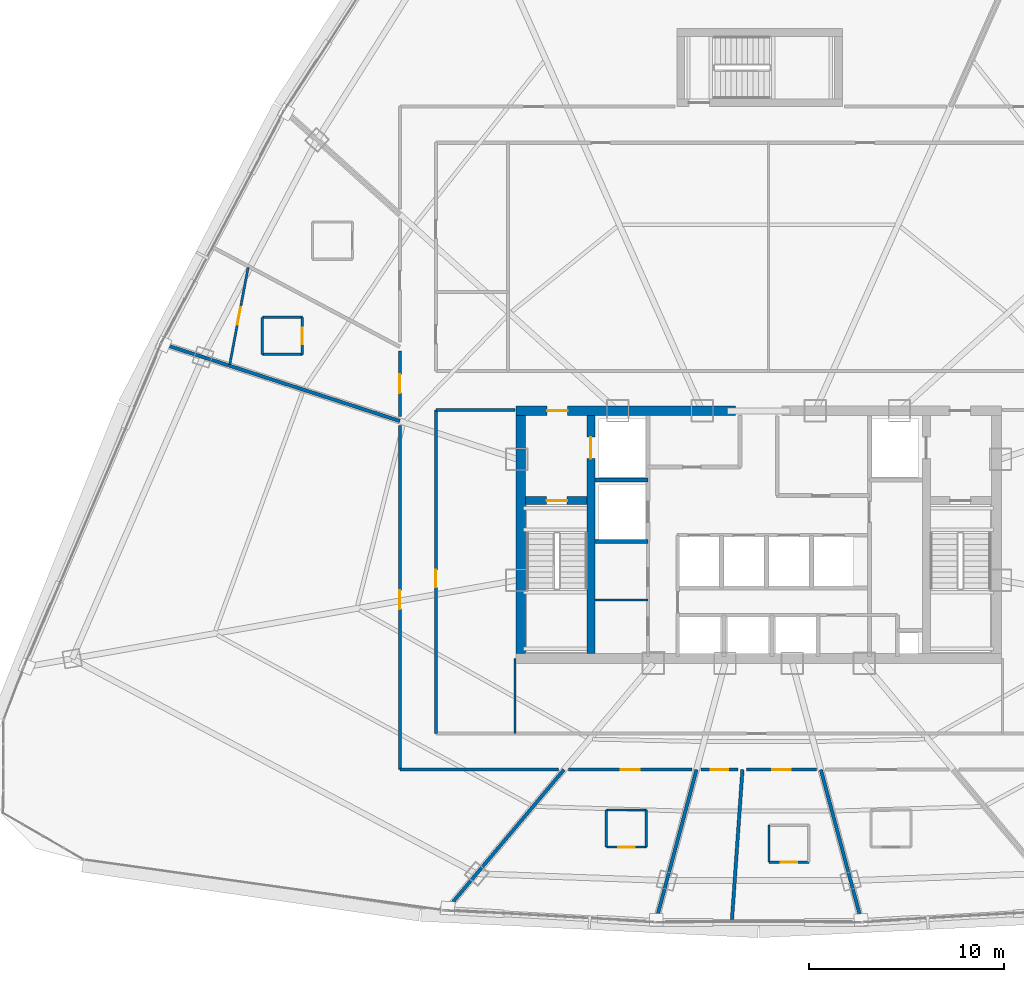
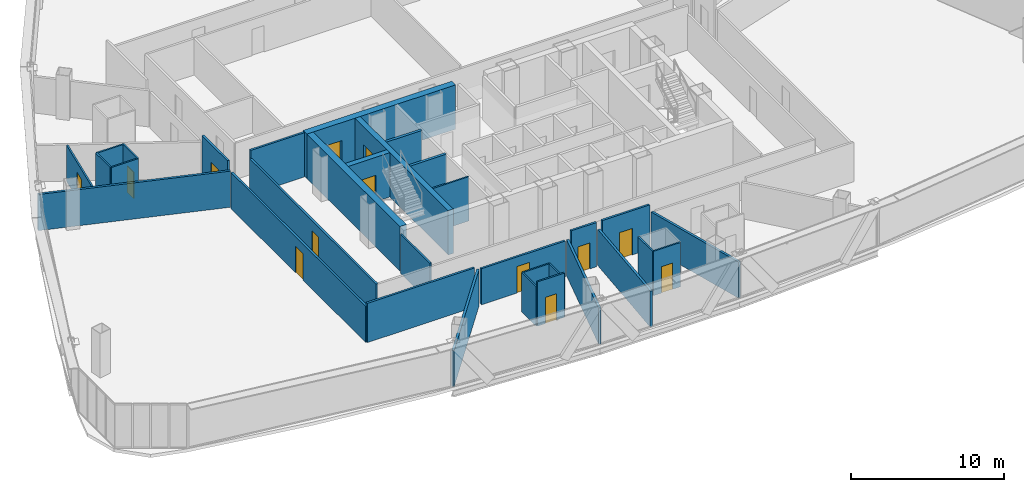
# One storey, part 32 of 40: 32 walls, 13 doors, 13 openings.
"""IFC4 building model written with IfcOpenShell, lengths in metres."""

from ifc_helpers import new_model, si_unit, direction, frame, frame_2d, origin, origin_with_axes, place, context, subcontext, project, spatial, rectangle, extrude, source, transform, mapped, material, layer, layer_set, type_object, element, fill, save


model = new_model("IFC4")

# Units and contexts
model_context = context("Model", 3, precision=1e-05, world=origin(), true_north=direction((0.0, 1.0)))
body_context = subcontext(model_context, "Body", "Model", "MODEL_VIEW")
ifc_project = project(units=[si_unit("LENGTHUNIT", "METRE"), si_unit("AREAUNIT", "SQUARE_METRE"), si_unit("VOLUMEUNIT", "CUBIC_METRE"), si_unit("PLANEANGLEUNIT", "RADIAN"), si_unit("MASSUNIT", "GRAM", prefix="KILO"), si_unit("THERMODYNAMICTEMPERATUREUNIT", "KELVIN"), si_unit("POWERUNIT", "WATT")], contexts=[model_context])

# Site, building, storey
site_placement = place(None, origin())
site = spatial("IfcSite", under=ifc_project, at=site_placement, CompositionType="ELEMENT")
building_placement = place(site_placement, origin())
building = spatial("IfcBuilding", under=site, at=building_placement, Name="Yunzhuo Pagoda Commons", CompositionType="ELEMENT")
storey_placement = place(building_placement, frame((0.0, 0.0, 188.56005859375)))
storey = spatial("IfcBuildingStorey", under=building, at=storey_placement, Name="L47", CompositionType="ELEMENT", Elevation=188.56005859375)

# Wall, opening, door
ifc_material_1 = material(Name="Concrete C50", Category="concrete")
ifc_layer_1 = layer(ifc_material_1, 0.5)
ifc_layer_set_1 = layer_set([ifc_layer_1], Name="Concrete C50")
wall_type_1 = type_object("IfcWallType", Name="W-C03 Upper Core Shear Wall 500", PredefinedType="SHEAR", material=ifc_layer_set_1)
wall_1_placement = place(storey_placement, frame((35.550048828125, 40.199951171875, 0.0), z_axis=(0.0, 0.0, 1.0), x_axis=(1.0, 0.0, 0.0)))
wall_1 = element("IfcWall", 1, at=wall_1_placement, inside=storey, type_object=wall_type_1, Name="L47 core shear wall NW", PredefinedType="SHEAR", context=body_context, shape_type="SweptSolid", body=[
    extrude(rectangle(XDim=11.25, YDim=0.5, at=frame_2d((5.625, 0.0))), origin(), (0.0, 0.0, 1.0), 3.5400390625),
])
opening_1_placement = place(wall_1_placement, frame((1.60009765625, 0.0, 0.0)))
opening_1 = element("IfcOpeningElement", 2, at=opening_1_placement, cuts=wall_1, Name="Opening D-02", PredefinedType="OPENING", context=body_context, shape_type="SweptSolid", body=[
    extrude(rectangle(XDim=1.050048828125, YDim=2.10009765625, at=frame_2d((0.52490234375, 1.050048828125))), frame((0.0, 0.260009765625, 0.0), z_axis=(0.0, -1.0, 0.0), x_axis=(1.0, 0.0, 0.0)), (0.0, 0.0, 1.0), 0.52001953125),
])
ifc_material_2 = material(Name="Galvanized fire-resisting metal leaf")
door_type_1 = type_object("IfcDoorType", Name="D-02 Firefighting Lobby & Refuge Fire Door 1050x2100", OperationType="NOTDEFINED", PredefinedType="DOOR", material=ifc_material_2)
shared_shape_1 = source(origin(), body_context, "Body", "SweptSolid", [
    extrude(rectangle(XDim=1.050048828125, YDim=2.10009765625, at=frame_2d((0.52490234375, 1.050048828125))), frame((0.0, 0.02490234375, 0.0), z_axis=(0.0, -1.0, 0.0), x_axis=(1.0, 0.0, 0.0)), (0.0, 0.0, 1.0), 0.050048828125),
])
door_1_placement = place(opening_1_placement, frame((1.050048828125, 0.0, 0.0), z_axis=(0.0, 0.0, 1.0), x_axis=(-1.0, 0.0, 0.0)))
door_1 = element("IfcDoor", 3, at=door_1_placement, inside=storey, type_object=door_type_1, Name="L47 Firefighting Lobby 1 fire door", OperationType="SINGLE_SWING_LEFT", OverallHeight=2.10009765625, OverallWidth=1.050048828125, PredefinedType="DOOR", context=body_context, shape_type="MappedRepresentation", body=[
    mapped(shared_shape_1, transform((0.0, 0.0, 0.0), scale=1.0)),
])
fill(opening_1, door_1)

# Wall
wall_2_placement = place(storey_placement, frame((35.800048828125, 27.75, 0.0), z_axis=(0.0, 0.0, 1.0), x_axis=(0.0, 1.0, 0.0)))
element("IfcWall", 4, at=wall_2_placement, inside=storey, type_object=wall_type_1, Name="L47 core shear wall W", PredefinedType="SHEAR", context=body_context, shape_type="SweptSolid", body=[
    extrude(rectangle(XDim=12.199951171875, YDim=0.5, at=frame_2d((6.10009765625, 0.0))), origin(), (0.0, 0.0, 1.0), 3.5400390625),
])

# Wall, opening, door
ifc_material_3 = material(Name="Gypsum plasterboard on acoustic stud")
ifc_layer_2 = layer(ifc_material_3, 0.155029296875)
ifc_layer_set_2 = layer_set([ifc_layer_2], Name="Gypsum plasterboard on acoustic stud")
wall_type_2 = type_object("IfcWallType", Name="W-COR2 Mid-Zone Rated Corridor Wall 155", PredefinedType="PARTITIONING", material=ifc_layer_set_2)
wall_3_placement = place(storey_placement, frame((31.449951171875, 23.64990234375, 0.0), z_axis=(0.0, 0.0, 1.0), x_axis=(0.0, 1.0, 0.0)))
wall_3 = element("IfcWall", 5, at=wall_3_placement, inside=storey, type_object=wall_type_2, Name="L47 interior wall IW-L47-SFLW", PredefinedType="PARTITIONING", context=body_context, shape_type="SweptSolid", body=[
    extrude(rectangle(XDim=16.60009765625, YDim=0.155029296875, at=frame_2d((8.300048828125, 0.0))), origin(), (0.0, 0.0, 1.0), 2.889892578125),
])
opening_2_placement = place(wall_3_placement, frame((7.5, 0.0, 0.0)))
opening_2 = element("IfcOpeningElement", 6, at=opening_2_placement, cuts=wall_3, Name="Opening D-12", PredefinedType="OPENING", context=body_context, shape_type="SweptSolid", body=[
    extrude(rectangle(XDim=0.89990234375, YDim=2.080078125, at=frame_2d((0.449951171875, 1.0400390625))), frame((0.0, 0.08740234375, 0.0), z_axis=(0.0, -1.0, 0.0), x_axis=(1.0, 0.0, 0.0)), (0.0, 0.0, 1.0), 0.175048828125),
])
ifc_material_4 = material(Name="Powder-coated aluminium and timber acoustic leaf", Category="wood")
door_type_2 = type_object("IfcDoorType", Name="D-12 Quiet Study Interior Door 900x2080", OperationType="NOTDEFINED", PredefinedType="DOOR", material=ifc_material_4)
shared_shape_2 = source(origin(), body_context, "Body", "SweptSolid", [
    extrude(rectangle(XDim=0.89990234375, YDim=2.080078125, at=frame_2d((0.449951171875, 1.0400390625))), frame((0.0, 0.02490234375, 0.0), z_axis=(0.0, -1.0, 0.0), x_axis=(1.0, 0.0, 0.0)), (0.0, 0.0, 1.0), 0.050048828125),
])
door_2_placement = place(opening_2_placement, origin_with_axes())
door_2 = element("IfcDoor", 7, at=door_2_placement, inside=storey, type_object=door_type_2, Name="L47 west study workroom door", OperationType="SINGLE_SWING_LEFT", OverallHeight=2.080078125, OverallWidth=0.89990234375, PredefinedType="DOOR", context=body_context, shape_type="MappedRepresentation", body=[
    mapped(shared_shape_2, transform((0.0, 0.0, 0.0), scale=1.0)),
])
fill(opening_2, door_2)

# Wall
wall_4_placement = place(storey_placement, frame((31.449951171875, 40.25, 0.0), z_axis=(0.0, 0.0, 1.0), x_axis=(1.0, 0.0, 0.0)))
element("IfcWall", 8, at=wall_4_placement, inside=storey, type_object=wall_type_2, Name="L47 interior wall IW-L47-SFLNW", PredefinedType="PARTITIONING", context=body_context, shape_type="SweptSolid", body=[
    extrude(rectangle(XDim=4.050048828125, YDim=0.155029296875, at=frame_2d((2.02490234375, 0.0))), origin(), (0.0, 0.0, 1.0), 3.5400390625),
])

# Wall, opening, door
wall_5_placement = place(storey_placement, frame((29.60009765625, 21.800048828125, 0.0), z_axis=(0.0, 0.0, 1.0), x_axis=(0.0, 1.0, 0.0)))
wall_5 = element("IfcWall", 9, at=wall_5_placement, inside=storey, type_object=wall_type_2, Name="L47 interior wall IW-L47-CWL01", PredefinedType="PARTITIONING", context=body_context, shape_type="SweptSolid", body=[
    extrude(rectangle(XDim=17.65869140625, YDim=0.155029296875, at=frame_2d((8.829345703125, 0.0))), origin(), (0.0, 0.0, 1.0), 2.889892578125),
])
opening_3_placement = place(wall_5_placement, frame((8.234375, 0.0, 0.0)))
opening_3 = element("IfcOpeningElement", 10, at=opening_3_placement, cuts=wall_5, Name="Opening D-07", PredefinedType="OPENING", context=body_context, shape_type="SweptSolid", body=[
    extrude(rectangle(XDim=0.9599609375, YDim=2.1201171875, at=frame_2d((0.47998046875, 1.06005859375))), frame((0.0, 0.08740234375, 0.0), z_axis=(0.0, -1.0, 0.0), x_axis=(1.0, 0.0, 0.0)), (0.0, 0.0, 1.0), 0.175048828125),
])
door_type_3 = type_object("IfcDoorType", Name="D-07 Mid-Zone Suite Entrance Fire Door 960x2120", OperationType="NOTDEFINED", PredefinedType="DOOR", material=ifc_material_2)
shared_shape_3 = source(origin(), body_context, "Body", "SweptSolid", [
    extrude(rectangle(XDim=0.9599609375, YDim=2.1201171875, at=frame_2d((0.47998046875, 1.06005859375))), frame((0.0, 0.02490234375, 0.0), z_axis=(0.0, -1.0, 0.0), x_axis=(1.0, 0.0, 0.0)), (0.0, 0.0, 1.0), 0.050048828125),
])
door_3_placement = place(opening_3_placement, origin_with_axes())
door_3 = element("IfcDoor", 11, at=door_3_placement, inside=storey, type_object=door_type_3, Name="L47 Resident Co-Living Commons Hall door", OperationType="SINGLE_SWING_RIGHT", OverallHeight=2.1201171875, OverallWidth=0.9599609375, PredefinedType="DOOR", context=body_context, shape_type="MappedRepresentation", body=[
    mapped(shared_shape_3, transform((0.0, 0.0, 0.0), scale=1.0)),
])
fill(opening_3, door_3)

wall_6_placement = place(storey_placement, frame((29.60009765625, 39.909912109375, 0.0), z_axis=(0.0, 0.0, 1.0), x_axis=(0.0, 1.0, 0.0)))
wall_6 = element("IfcWall", 12, at=wall_6_placement, inside=storey, type_object=wall_type_2, Name="L47 interior wall IW-L47-CWL02", PredefinedType="PARTITIONING", context=body_context, shape_type="SweptSolid", body=[
    extrude(rectangle(XDim=3.353515625, YDim=0.155029296875, at=frame_2d((1.6767578125, 0.0))), origin(), (0.0, 0.0, 1.0), 3.5400390625),
])
opening_4_placement = place(wall_6_placement, frame((1.1962890625, 0.0, 0.0)))
opening_4 = element("IfcOpeningElement", 13, at=opening_4_placement, cuts=wall_6, Name="Opening D-07", PredefinedType="OPENING", context=body_context, shape_type="SweptSolid", body=[
    extrude(rectangle(XDim=0.9599609375, YDim=2.1201171875, at=frame_2d((0.47998046875, 1.06005859375))), frame((0.0, 0.08740234375, 0.0), z_axis=(0.0, -1.0, 0.0), x_axis=(1.0, 0.0, 0.0)), (0.0, 0.0, 1.0), 0.175048828125),
])
door_4_placement = place(opening_4_placement, origin_with_axes())
door_4 = element("IfcDoor", 14, at=door_4_placement, inside=storey, type_object=door_type_3, Name="L47 unit 07 entrance door", OperationType="SINGLE_SWING_LEFT", OverallHeight=2.1201171875, OverallWidth=0.9599609375, PredefinedType="DOOR", context=body_context, shape_type="MappedRepresentation", body=[
    mapped(shared_shape_3, transform((0.0, 0.0, 0.0), scale=1.0)),
])
fill(opening_4, door_4)

wall_7_placement = place(storey_placement, frame((50.96875, 21.800048828125, 0.0), z_axis=(0.0, 0.0, 1.0), x_axis=(-1.0, 0.0, 0.0)))
wall_7 = element("IfcWall", 15, at=wall_7_placement, inside=storey, type_object=wall_type_2, Name="L47 interior wall IW-L47-CWL15", PredefinedType="PARTITIONING", context=body_context, shape_type="SweptSolid", body=[
    extrude(rectangle(XDim=3.5810546875, YDim=0.155029296875, at=frame_2d((1.79052734375, 0.0))), origin(), (0.0, 0.0, 1.0), 3.5400390625),
])
opening_5_placement = place(wall_7_placement, frame((1.3154296875, 0.0, 0.0)))
opening_5 = element("IfcOpeningElement", 16, at=opening_5_placement, cuts=wall_7, Name="Opening D-07", PredefinedType="OPENING", context=body_context, shape_type="SweptSolid", body=[
    extrude(rectangle(XDim=0.9599609375, YDim=2.1201171875, at=frame_2d((0.47998046875, 1.06005859375))), frame((0.0, 0.08740234375, 0.0), z_axis=(0.0, -1.0, 0.0), x_axis=(1.0, 0.0, 0.0)), (0.0, 0.0, 1.0), 0.175048828125),
])
door_5_placement = place(opening_5_placement, origin_with_axes())
door_5 = element("IfcDoor", 17, at=door_5_placement, inside=storey, type_object=door_type_3, Name="L47 unit 11 entrance door", OperationType="SINGLE_SWING_LEFT", OverallHeight=2.1201171875, OverallWidth=0.9599609375, PredefinedType="DOOR", context=body_context, shape_type="MappedRepresentation", body=[
    mapped(shared_shape_3, transform((0.0, 0.0, 0.0), scale=1.0)),
])
fill(opening_5, door_5)

wall_8_placement = place(storey_placement, frame((46.947509765625, 21.800048828125, 0.0), z_axis=(0.0, 0.0, 1.0), x_axis=(-1.0, 0.0, 0.0)))
wall_8 = element("IfcWall", 18, at=wall_8_placement, inside=storey, type_object=wall_type_2, Name="L47 interior wall IW-L47-CWL16", PredefinedType="PARTITIONING", context=body_context, shape_type="SweptSolid", body=[
    extrude(rectangle(XDim=1.916259765625, YDim=0.155029296875, at=frame_2d((0.9580078125, 0.0))), origin(), (0.0, 0.0, 1.0), 3.5400390625),
])
opening_6_placement = place(wall_8_placement, frame((0.497802734375, 0.0, 0.0)))
opening_6 = element("IfcOpeningElement", 19, at=opening_6_placement, cuts=wall_8, Name="Opening D-12", PredefinedType="OPENING", context=body_context, shape_type="SweptSolid", body=[
    extrude(rectangle(XDim=0.89990234375, YDim=2.080078125, at=frame_2d((0.449951171875, 1.0400390625))), frame((0.0, 0.08740234375, 0.0), z_axis=(0.0, -1.0, 0.0), x_axis=(1.0, 0.0, 0.0)), (0.0, 0.0, 1.0), 0.175048828125),
])
door_6_placement = place(opening_6_placement, origin_with_axes())
door_6 = element("IfcDoor", 20, at=door_6_placement, inside=storey, type_object=door_type_2, Name="L47 study lounge 10 door", OperationType="SINGLE_SWING_RIGHT", OverallHeight=2.080078125, OverallWidth=0.89990234375, PredefinedType="DOOR", context=body_context, shape_type="MappedRepresentation", body=[
    mapped(shared_shape_2, transform((0.0, 0.0, 0.0), scale=1.0)),
])
fill(opening_6, door_6)

wall_9_placement = place(storey_placement, frame((44.58349609375, 21.800048828125, 0.0), z_axis=(0.0, 0.0, 1.0), x_axis=(-1.0, 0.0, 0.0)))
wall_9 = element("IfcWall", 21, at=wall_9_placement, inside=storey, type_object=wall_type_2, Name="L47 interior wall IW-L47-CWL17", PredefinedType="PARTITIONING", context=body_context, shape_type="SweptSolid", body=[
    extrude(rectangle(XDim=6.348876953125, YDim=0.155029296875, at=frame_2d((3.17431640625, 0.0))), origin(), (0.0, 0.0, 1.0), 2.889892578125),
])
opening_7_placement = place(wall_9_placement, frame((2.695556640625, 0.0, 0.0)))
opening_7 = element("IfcOpeningElement", 22, at=opening_7_placement, cuts=wall_9, Name="Opening D-07", PredefinedType="OPENING", context=body_context, shape_type="SweptSolid", body=[
    extrude(rectangle(XDim=0.9599609375, YDim=2.1201171875, at=frame_2d((0.47998046875, 1.06005859375))), frame((0.0, 0.08740234375, 0.0), z_axis=(0.0, -1.0, 0.0), x_axis=(1.0, 0.0, 0.0)), (0.0, 0.0, 1.0), 0.175048828125),
])
door_7_placement = place(opening_7_placement, origin_with_axes())
door_7 = element("IfcDoor", 23, at=door_7_placement, inside=storey, type_object=door_type_3, Name="L47 unit 09 entrance door", OperationType="SINGLE_SWING_LEFT", OverallHeight=2.1201171875, OverallWidth=0.9599609375, PredefinedType="DOOR", context=body_context, shape_type="MappedRepresentation", body=[
    mapped(shared_shape_3, transform((0.0, 0.0, 0.0), scale=1.0)),
])
fill(opening_7, door_7)

# Walls
wall_10_placement = place(storey_placement, frame((37.7275390625, 21.800048828125, 0.0), z_axis=(0.0, 0.0, 1.0), x_axis=(-1.0, 0.0, 0.0)))
element("IfcWall", 24, at=wall_10_placement, inside=storey, type_object=wall_type_2, Name="L47 interior wall IW-L47-CWL18", PredefinedType="PARTITIONING", context=body_context, shape_type="SweptSolid", body=[
    extrude(rectangle(XDim=8.12744140625, YDim=0.155029296875, at=frame_2d((4.063720703125, 0.0))), origin(), (0.0, 0.0, 1.0), 3.139892578125),
])
ifc_layer_3 = layer(ifc_material_3, 0.1201171875)
ifc_layer_set_3 = layer_set([ifc_layer_3], Name="Gypsum plasterboard on acoustic stud")
wall_type_3 = type_object("IfcWallType", Name="W-PRT1 Suite & Bathroom Partition 120", PredefinedType="PARTITIONING", material=ifc_layer_set_3)
wall_11_placement = place(storey_placement, frame((39.60009765625, 30.5, 0.0), z_axis=(0.0, 0.0, 1.0), x_axis=(1.0, 0.0, 0.0)))
element("IfcWall", 25, at=wall_11_placement, inside=storey, type_object=wall_type_3, Name="L47 interior wall IW-L47-CB1", PredefinedType="PARTITIONING", context=body_context, shape_type="SweptSolid", body=[
    extrude(rectangle(XDim=2.719970703125, YDim=0.1201171875, at=frame_2d((1.35986328125, 0.0))), origin(), (0.0, 0.0, 1.0), 3.5400390625),
])
wall_12_placement = place(storey_placement, frame((35.5, 23.64990234375, 0.0), z_axis=(0.0, 0.0, 1.0), x_axis=(0.0, 1.0, 0.0)))
element("IfcWall", 26, at=wall_12_placement, inside=storey, type_object=wall_type_3, Name="L47 interior wall IW-L47-SFLD1", PredefinedType="PARTITIONING", context=body_context, shape_type="SweptSolid", body=[
    extrude(rectangle(XDim=3.85009765625, YDim=0.1201171875, at=frame_2d((1.925048828125, 0.0))), origin(), (0.0, 0.0, 1.0), 3.139892578125),
])
wall_13_placement = place(storey_placement, frame((22.547119140625, 43.09912109375, 0.0), z_axis=(0.0, 0.0, 1.0), x_axis=(1.0, 0.0, 0.0)))
element("IfcWall", 27, at=wall_13_placement, inside=storey, type_object=wall_type_3, Name="L47 interior wall IW-L47-B07S", PredefinedType="PARTITIONING", context=body_context, shape_type="SweptSolid", body=[
    extrude(rectangle(XDim=2.0498046875, YDim=0.1201171875, at=frame_2d((1.02490234375, 0.0))), origin(), (0.0, 0.0, 1.0), 3.5400390625),
])

# Wall, opening, door
wall_14_placement = place(storey_placement, frame((24.596923828125, 43.09912109375, 0.0), z_axis=(0.0, 0.0, 1.0), x_axis=(0.0, 1.0, 0.0)))
wall_14 = element("IfcWall", 28, at=wall_14_placement, inside=storey, type_object=wall_type_3, Name="L47 interior wall IW-L47-B07E", PredefinedType="PARTITIONING", context=body_context, shape_type="SweptSolid", body=[
    extrude(rectangle(XDim=1.89990234375, YDim=0.1201171875, at=frame_2d((0.949951171875, 0.0))), origin(), (0.0, 0.0, 1.0), 3.5400390625),
])
opening_8_placement = place(wall_14_placement, frame((0.52490234375, 0.0, 0.0)))
opening_8 = element("IfcOpeningElement", 29, at=opening_8_placement, cuts=wall_14, Name="Opening D-05", PredefinedType="OPENING", context=body_context, shape_type="SweptSolid", body=[
    extrude(rectangle(XDim=0.85009765625, YDim=2.10009765625, at=frame_2d((0.425048828125, 1.050048828125))), frame((0.0, 0.070068359375, 0.0), z_axis=(0.0, -1.0, 0.0), x_axis=(1.0, 0.0, 0.0)), (0.0, 0.0, 1.0), 0.14013671875),
])
door_type_4 = type_object("IfcDoorType", Name="D-05 En-Suite Bathroom Door 850x2100", OperationType="NOTDEFINED", PredefinedType="DOOR", material=ifc_material_4)
shared_shape_4 = source(origin(), body_context, "Body", "SweptSolid", [
    extrude(rectangle(XDim=0.85009765625, YDim=2.10009765625, at=frame_2d((0.425048828125, 1.050048828125))), frame((0.0, 0.02490234375, 0.0), z_axis=(0.0, -1.0, 0.0), x_axis=(1.0, 0.0, 0.0)), (0.0, 0.0, 1.0), 0.050048828125),
])
door_8_placement = place(opening_8_placement, frame((0.85009765625, 0.0, 0.0), z_axis=(0.0, 0.0, 1.0), x_axis=(-1.0, 0.0, 0.0)))
door_8 = element("IfcDoor", 30, at=door_8_placement, inside=storey, type_object=door_type_4, Name="L47 unit 07 bathroom door", OperationType="SINGLE_SWING_LEFT", OverallHeight=2.10009765625, OverallWidth=0.85009765625, PredefinedType="DOOR", context=body_context, shape_type="MappedRepresentation", body=[
    mapped(shared_shape_4, transform((0.0, 0.0, 0.0), scale=1.0)),
])
fill(opening_8, door_8)

# Walls
wall_15_placement = place(storey_placement, frame((24.596923828125, 44.9990234375, 0.0), z_axis=(0.0, 0.0, 1.0), x_axis=(-1.0, 0.0, 0.0)))
element("IfcWall", 31, at=wall_15_placement, inside=storey, type_object=wall_type_3, Name="L47 interior wall IW-L47-B07N", PredefinedType="PARTITIONING", context=body_context, shape_type="SweptSolid", body=[
    extrude(rectangle(XDim=2.0498046875, YDim=0.1201171875, at=frame_2d((1.02490234375, 0.0))), origin(), (0.0, 0.0, 1.0), 3.5400390625),
])
wall_16_placement = place(storey_placement, frame((22.547119140625, 44.9990234375, 0.0), z_axis=(0.0, 0.0, 1.0), x_axis=(0.0, -1.0, 0.0)))
element("IfcWall", 32, at=wall_16_placement, inside=storey, type_object=wall_type_3, Name="L47 interior wall IW-L47-B07W", PredefinedType="PARTITIONING", context=body_context, shape_type="SweptSolid", body=[
    extrude(rectangle(XDim=1.89990234375, YDim=0.1201171875, at=frame_2d((0.949951171875, 0.0))), origin(), (0.0, 0.0, 1.0), 3.5400390625),
])

# Wall, opening, door
wall_17_placement = place(storey_placement, frame((21.818359375, 47.55322265625, 0.0), z_axis=(0.0, 0.0, 1.0), x_axis=(-0.186234987185, -0.982505231308, 0.0)))
wall_17 = element("IfcWall", 33, at=wall_17_placement, inside=storey, type_object=wall_type_3, Name="L47 interior wall IW-L47-CLB07", PredefinedType="PARTITIONING", context=body_context, shape_type="SweptSolid", body=[
    extrude(rectangle(XDim=5.0654296875, YDim=0.1201171875, at=frame_2d((2.53271484375, 0.0))), origin(), (0.0, 0.0, 1.0), 2.889892578125),
])
opening_9_placement = place(wall_17_placement, frame((2.072509765625, 0.0, 0.0)))
opening_9 = element("IfcOpeningElement", 34, at=opening_9_placement, cuts=wall_17, Name="Opening D-04", PredefinedType="OPENING", context=body_context, shape_type="SweptSolid", body=[
    extrude(rectangle(XDim=0.919921875, YDim=2.10009765625, at=frame_2d((0.4599609375, 1.050048828125))), frame((0.0, 0.070068359375, 0.0), z_axis=(0.0, -1.0, 0.0), x_axis=(1.0, 0.0, 0.0)), (0.0, 0.0, 1.0), 0.14013671875),
])
door_type_5 = type_object("IfcDoorType", Name="D-04 Bedroom & Study Interior Door 920x2100", OperationType="NOTDEFINED", PredefinedType="DOOR", material=ifc_material_4)
shared_shape_5 = source(origin(), body_context, "Body", "SweptSolid", [
    extrude(rectangle(XDim=0.919921875, YDim=2.10009765625, at=frame_2d((0.4599609375, 1.050048828125))), frame((0.0, 0.02490234375, 0.0), z_axis=(0.0, -1.0, 0.0), x_axis=(1.0, 0.0, 0.0)), (0.0, 0.0, 1.0), 0.050048828125),
])
door_9_placement = place(opening_9_placement, origin_with_axes())
door_9 = element("IfcDoor", 35, at=door_9_placement, inside=storey, type_object=door_type_5, Name="L47 suite 07 bedroom door", OperationType="SINGLE_SWING_LEFT", OverallHeight=2.10009765625, OverallWidth=0.919921875, PredefinedType="DOOR", context=body_context, shape_type="MappedRepresentation", body=[
    mapped(shared_shape_5, transform((0.0, 0.0, 0.0), scale=1.0)),
])
fill(opening_9, door_9)

wall_18_placement = place(storey_placement, frame((40.18701171875, 17.833984375, 0.0), z_axis=(0.0, 0.0, 1.0), x_axis=(1.0, 0.0, 0.0)))
wall_18 = element("IfcWall", 36, at=wall_18_placement, inside=storey, type_object=wall_type_3, Name="L47 interior wall IW-L47-B09S", PredefinedType="PARTITIONING", context=body_context, shape_type="SweptSolid", body=[
    extrude(rectangle(XDim=2.050048828125, YDim=0.1201171875, at=frame_2d((1.02490234375, 0.0))), origin(), (0.0, 0.0, 1.0), 3.5400390625),
])
opening_10_placement = place(wall_18_placement, frame((0.60009765625, 0.0, 0.0)))
opening_10 = element("IfcOpeningElement", 37, at=opening_10_placement, cuts=wall_18, Name="Opening D-05", PredefinedType="OPENING", context=body_context, shape_type="SweptSolid", body=[
    extrude(rectangle(XDim=0.85009765625, YDim=2.10009765625, at=frame_2d((0.425048828125, 1.050048828125))), frame((0.0, 0.070068359375, 0.0), z_axis=(0.0, -1.0, 0.0), x_axis=(1.0, 0.0, 0.0)), (0.0, 0.0, 1.0), 0.14013671875),
])
door_10_placement = place(opening_10_placement, frame((0.85009765625, 0.0, 0.0), z_axis=(0.0, 0.0, 1.0), x_axis=(-1.0, 0.0, 0.0)))
door_10 = element("IfcDoor", 38, at=door_10_placement, inside=storey, type_object=door_type_4, Name="L47 unit 09 bathroom door", OperationType="SINGLE_SWING_LEFT", OverallHeight=2.10009765625, OverallWidth=0.85009765625, PredefinedType="DOOR", context=body_context, shape_type="MappedRepresentation", body=[
    mapped(shared_shape_4, transform((0.0, 0.0, 0.0), scale=1.0)),
])
fill(opening_10, door_10)

# Walls
wall_19_placement = place(storey_placement, frame((42.237060546875, 17.833984375, 0.0), z_axis=(0.0, 0.0, 1.0), x_axis=(0.0, 1.0, 0.0)))
element("IfcWall", 39, at=wall_19_placement, inside=storey, type_object=wall_type_3, Name="L47 interior wall IW-L47-B09E", PredefinedType="PARTITIONING", context=body_context, shape_type="SweptSolid", body=[
    extrude(rectangle(XDim=1.89990234375, YDim=0.1201171875, at=frame_2d((0.949951171875, 0.0))), origin(), (0.0, 0.0, 1.0), 3.139892578125),
])
wall_20_placement = place(storey_placement, frame((42.237060546875, 19.73388671875, 0.0), z_axis=(0.0, 0.0, 1.0), x_axis=(-1.0, 0.0, 0.0)))
element("IfcWall", 40, at=wall_20_placement, inside=storey, type_object=wall_type_3, Name="L47 interior wall IW-L47-B09N", PredefinedType="PARTITIONING", context=body_context, shape_type="SweptSolid", body=[
    extrude(rectangle(XDim=2.050048828125, YDim=0.1201171875, at=frame_2d((1.02490234375, 0.0))), origin(), (0.0, 0.0, 1.0), 3.139892578125),
])
wall_21_placement = place(storey_placement, frame((40.18701171875, 19.73388671875, 0.0), z_axis=(0.0, 0.0, 1.0), x_axis=(0.0, -1.0, 0.0)))
element("IfcWall", 41, at=wall_21_placement, inside=storey, type_object=wall_type_3, Name="L47 interior wall IW-L47-B09W", PredefinedType="PARTITIONING", context=body_context, shape_type="SweptSolid", body=[
    extrude(rectangle(XDim=1.89990234375, YDim=0.1201171875, at=frame_2d((0.949951171875, 0.0))), origin(), (0.0, 0.0, 1.0), 3.139892578125),
])

# Wall, opening, door
wall_22_placement = place(storey_placement, frame((48.52490234375, 17.054931640625, 0.0), z_axis=(0.0, 0.0, 1.0), x_axis=(1.0, 0.0, 0.0)))
wall_22 = element("IfcWall", 42, at=wall_22_placement, inside=storey, type_object=wall_type_3, Name="L47 interior wall IW-L47-B11S", PredefinedType="PARTITIONING", context=body_context, shape_type="SweptSolid", body=[
    extrude(rectangle(XDim=2.050048828125, YDim=0.1201171875, at=frame_2d((1.02490234375, 0.0))), origin(), (0.0, 0.0, 1.0), 3.5400390625),
])
opening_11_placement = place(wall_22_placement, frame((0.60009765625, 0.0, 0.0)))
opening_11 = element("IfcOpeningElement", 43, at=opening_11_placement, cuts=wall_22, Name="Opening D-05", PredefinedType="OPENING", context=body_context, shape_type="SweptSolid", body=[
    extrude(rectangle(XDim=0.85009765625, YDim=2.10009765625, at=frame_2d((0.425048828125, 1.050048828125))), frame((0.0, 0.070068359375, 0.0), z_axis=(0.0, -1.0, 0.0), x_axis=(1.0, 0.0, 0.0)), (0.0, 0.0, 1.0), 0.14013671875),
])
door_11_placement = place(opening_11_placement, frame((0.85009765625, 0.0, 0.0), z_axis=(0.0, 0.0, 1.0), x_axis=(-1.0, 0.0, 0.0)))
door_11 = element("IfcDoor", 44, at=door_11_placement, inside=storey, type_object=door_type_4, Name="L47 unit 11 bathroom door", OperationType="SINGLE_SWING_LEFT", OverallHeight=2.10009765625, OverallWidth=0.85009765625, PredefinedType="DOOR", context=body_context, shape_type="MappedRepresentation", body=[
    mapped(shared_shape_4, transform((0.0, 0.0, 0.0), scale=1.0)),
])
fill(opening_11, door_11)

# Walls
wall_23_placement = place(storey_placement, frame((48.52490234375, 18.955078125, 0.0), z_axis=(0.0, 0.0, 1.0), x_axis=(0.0, -1.0, 0.0)))
element("IfcWall", 45, at=wall_23_placement, inside=storey, type_object=wall_type_3, Name="L47 interior wall IW-L47-B11W", PredefinedType="PARTITIONING", context=body_context, shape_type="SweptSolid", body=[
    extrude(rectangle(XDim=1.900146484375, YDim=0.1201171875, at=frame_2d((0.9501953125, 0.0))), origin(), (0.0, 0.0, 1.0), 3.5400390625),
])
ifc_layer_4 = layer(ifc_material_3, 0.175048828125)
ifc_layer_set_4 = layer_set([ifc_layer_4], Name="Gypsum plasterboard on acoustic stud")
wall_type_4 = type_object("IfcWallType", Name="W-PRT3 Mid-Zone Demising Wall 175", PredefinedType="PARTITIONING", material=ifc_layer_set_4)
wall_24_placement = place(storey_placement, frame((29.60009765625, 39.678466796875, 0.0), z_axis=(0.0, 0.0, 1.0), x_axis=(-0.951054689993, 0.309022615097, 0.0)))
element("IfcWall", 46, at=wall_24_placement, inside=storey, type_object=wall_type_4, Name="L47 interior wall IW-L47-RAD08", PredefinedType="PARTITIONING", context=body_context, shape_type="SweptSolid", body=[
    extrude(rectangle(XDim=12.875244140625, YDim=0.175048828125, at=frame_2d((6.4375, 0.0))), origin(), (0.0, 0.0, 1.0), 2.889892578125),
])
wall_25_placement = place(storey_placement, frame((38.0146484375, 21.800048828125, 0.0), z_axis=(0.0, 0.0, 1.0), x_axis=(-0.642777943688, -0.766052553751, 0.0)))
element("IfcWall", 47, at=wall_25_placement, inside=storey, type_object=wall_type_4, Name="L47 interior wall IW-L47-RAD09", PredefinedType="PARTITIONING", context=body_context, shape_type="SweptSolid", body=[
    extrude(rectangle(XDim=9.430908203125, YDim=0.175048828125, at=frame_2d((4.71533203125, 0.0))), origin(), (0.0, 0.0, 1.0), 2.889892578125),
])
wall_26_placement = place(storey_placement, frame((44.811279296875, 21.800048828125, 0.0), z_axis=(0.0, 0.0, 1.0), x_axis=(-0.258815374981, -0.965926809688, 0.0)))
element("IfcWall", 48, at=wall_26_placement, inside=storey, type_object=wall_type_4, Name="L47 interior wall IW-L47-RAD10", PredefinedType="PARTITIONING", context=body_context, shape_type="SweptSolid", body=[
    extrude(rectangle(XDim=8.105712890625, YDim=0.175048828125, at=frame_2d((4.052734375, 0.0))), origin(), (0.0, 0.0, 1.0), 2.889892578125),
])
wall_27_placement = place(storey_placement, frame((47.16796875, 21.800048828125, 0.0), z_axis=(0.0, 0.0, 1.0), x_axis=(-0.069770314737, -0.997563082307, 0.0)))
element("IfcWall", 49, at=wall_27_placement, inside=storey, type_object=wall_type_4, Name="L47 interior wall IW-L47-RAD11", PredefinedType="PARTITIONING", context=body_context, shape_type="SweptSolid", body=[
    extrude(rectangle(XDim=7.8486328125, YDim=0.175048828125, at=frame_2d((3.92431640625, 0.0))), origin(), (0.0, 0.0, 1.0), 2.889892578125),
])
wall_28_placement = place(storey_placement, frame((51.188720703125, 21.800048828125, 0.0), z_axis=(0.0, 0.0, 1.0), x_axis=(0.258815374981, -0.965926809688, 0.0)))
element("IfcWall", 50, at=wall_28_placement, inside=storey, type_object=wall_type_4, Name="L47 interior wall IW-L47-RAD12", PredefinedType="PARTITIONING", context=body_context, shape_type="SweptSolid", body=[
    extrude(rectangle(XDim=8.105712890625, YDim=0.175048828125, at=frame_2d((4.052734375, 0.0))), origin(), (0.0, 0.0, 1.0), 2.889892578125),
])

# Wall, opening, door
ifc_material_5 = material(Name="Concrete C60", Category="concrete")
ifc_layer_5 = layer(ifc_material_5, 0.39990234375)
ifc_layer_set_5 = layer_set([ifc_layer_5], Name="Concrete C60")
wall_type_5 = type_object("IfcWallType", Name="W-S01 Internal Core Shear Web 400", PredefinedType="SHEAR", material=ifc_layer_set_5)
wall_29_placement = place(storey_placement, frame((39.39990234375, 27.75, 0.0), z_axis=(0.0, 0.0, 1.0), x_axis=(0.0, 1.0, 0.0)))
wall_29 = element("IfcWall", 51, at=wall_29_placement, inside=storey, type_object=wall_type_5, Name="L47 core shear wall WEBW", PredefinedType="SHEAR", context=body_context, shape_type="SweptSolid", body=[
    extrude(rectangle(XDim=12.199951171875, YDim=0.39990234375, at=frame_2d((6.10009765625, 0.0))), origin(), (0.0, 0.0, 1.0), 3.5400390625),
])
opening_12_placement = place(wall_29_placement, frame((10.0, 0.0, 0.0)))
opening_12 = element("IfcOpeningElement", 52, at=opening_12_placement, cuts=wall_29, Name="Opening LD-01", PredefinedType="OPENING", context=body_context, shape_type="SweptSolid", body=[
    extrude(rectangle(XDim=1.10009765625, YDim=2.10009765625, at=frame_2d((0.550048828125, 1.050048828125))), frame((0.0, 0.2099609375, 0.0), z_axis=(0.0, -1.0, 0.0), x_axis=(1.0, 0.0, 0.0)), (0.0, 0.0, 1.0), 0.419921875),
])
door_type_6 = type_object("IfcDoorType", Name="LD-01 Firefighting Lift Landing Door 1100x2100", OperationType="DOUBLE_DOOR_SLIDING", PredefinedType="DOOR", material=ifc_material_2)
shared_shape_6 = source(origin(), body_context, "Body", "SweptSolid", [
    extrude(rectangle(XDim=1.10009765625, YDim=2.10009765625, at=frame_2d((0.550048828125, 1.050048828125))), frame((0.0, 0.02490234375, 0.0), z_axis=(0.0, -1.0, 0.0), x_axis=(1.0, 0.0, 0.0)), (0.0, 0.0, 1.0), 0.050048828125),
])
door_12_placement = place(opening_12_placement, frame((1.10009765625, 0.0, 0.0), z_axis=(0.0, 0.0, 1.0), x_axis=(-1.0, 0.0, 0.0)))
door_12 = element("IfcDoor", 53, at=door_12_placement, inside=storey, type_object=door_type_6, Name="L47 Firefighting lift FL-1 landing door", OperationType="DOUBLE_DOOR_SLIDING", OverallHeight=2.10009765625, OverallWidth=1.10009765625, PredefinedType="DOOR", context=body_context, shape_type="MappedRepresentation", body=[
    mapped(shared_shape_6, transform((0.0, 0.0, 0.0), scale=1.0)),
])
fill(opening_12, door_12)

wall_30_placement = place(storey_placement, frame((36.050048828125, 35.60009765625, 0.0), z_axis=(0.0, 0.0, 1.0), x_axis=(1.0, 0.0, 0.0)))
wall_30 = element("IfcWall", 54, at=wall_30_placement, inside=storey, type_object=wall_type_5, Name="L47 core shear wall STW", PredefinedType="SHEAR", context=body_context, shape_type="SweptSolid", body=[
    extrude(rectangle(XDim=3.14990234375, YDim=0.39990234375, at=frame_2d((1.574951171875, 0.0))), origin(), (0.0, 0.0, 1.0), 3.5400390625),
])
opening_13_placement = place(wall_30_placement, frame((1.070068359375, 0.0, 0.0)))
opening_13 = element("IfcOpeningElement", 55, at=opening_13_placement, cuts=wall_30, Name="Opening D-01", PredefinedType="OPENING", context=body_context, shape_type="SweptSolid", body=[
    extrude(rectangle(XDim=1.050048828125, YDim=2.10009765625, at=frame_2d((0.52490234375, 1.050048828125))), frame((0.0, 0.2099609375, 0.0), z_axis=(0.0, -1.0, 0.0), x_axis=(1.0, 0.0, 0.0)), (0.0, 0.0, 1.0), 0.419921875),
])
door_type_7 = type_object("IfcDoorType", Name="D-01 Smokeproof Stair Fire Door 1050x2100", OperationType="NOTDEFINED", PredefinedType="DOOR", material=ifc_material_2)
door_13_placement = place(opening_13_placement, frame((1.050048828125, 0.0, 0.0), z_axis=(0.0, 0.0, 1.0), x_axis=(-1.0, 0.0, 0.0)))
door_13 = element("IfcDoor", 56, at=door_13_placement, inside=storey, type_object=door_type_7, Name="L47 Stair ST1 fire door", OperationType="SINGLE_SWING_LEFT", OverallHeight=2.10009765625, OverallWidth=1.050048828125, PredefinedType="DOOR", context=body_context, shape_type="MappedRepresentation", body=[
    mapped(shared_shape_1, transform((0.0, 0.0, 0.0), scale=1.0)),
])
fill(opening_13, door_13)

# Walls
ifc_material_6 = material(Name="Concrete C40", Category="concrete")
ifc_layer_6 = layer(ifc_material_6, 0.199951171875)
ifc_layer_set_6 = layer_set([ifc_layer_6], Name="Concrete C40")
wall_type_6 = type_object("IfcWallType", Name="W-SHF Shaft & Stair Enclosure Wall 200", PredefinedType="SOLIDWALL", material=ifc_layer_set_6)
for number, where, z_axis, x_axis, name in (
    (57, (39.60009765625, 36.64990234375, 0.0), (0.0, 0.0, 1.0), (1.0, 0.0, 0.0), "L47 interior wall IW-L47-FL1S"),
    (58, (39.60009765625, 33.5, 0.0), (0.0, 0.0, 1.0), (1.0, 0.0, 0.0), "L47 interior wall IW-L47-SL1S"),
):
    element("IfcWall", number, at=place(storey_placement, frame(where, z_axis=z_axis, x_axis=x_axis)), inside=storey, type_object=wall_type_6, Name=name, PredefinedType="SOLIDWALL", context=body_context, shape_type="SweptSolid", body=[
        extrude(rectangle(XDim=2.719970703125, YDim=0.199951171875, at=frame_2d((1.35986328125, 0.0))), origin(), (0.0, 0.0, 1.0), 3.5400390625),
    ])

save(model, "model.ifc")
